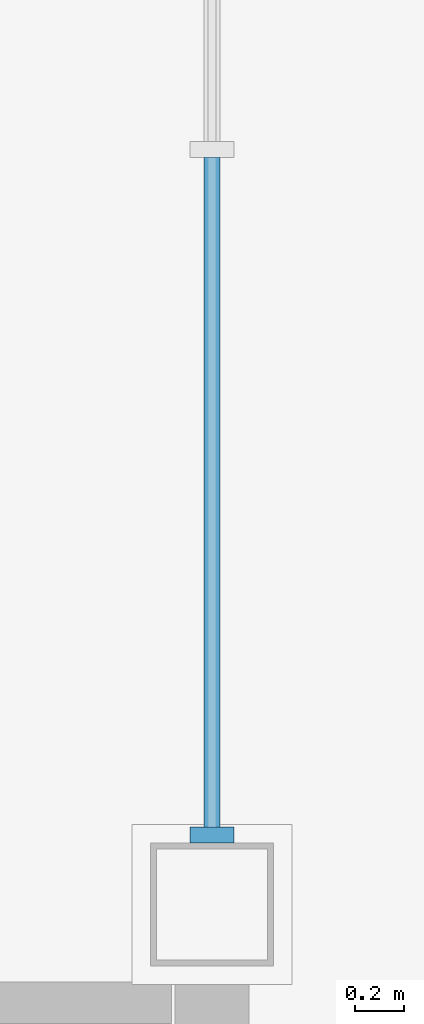
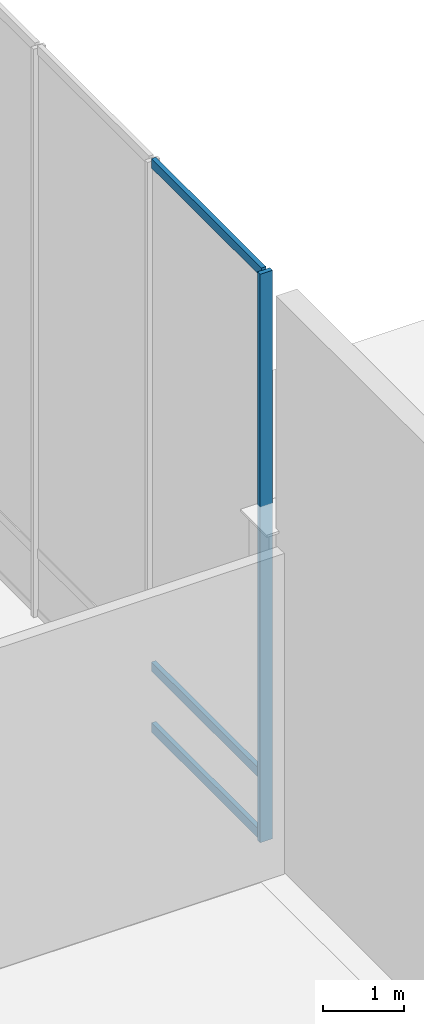
# One storey, part 37 of 123: 4 members, 1 element without a shape of its own.
"""IFC4 building model written with IfcOpenShell, lengths in metres."""

from ifc_helpers import new_model, si_unit, direction, frame, origin, origin_2d, place, context, subcontext, project, spatial, rectangle, extrude, material, material_profile, profile_set, type_object, element, aggregate, save


model = new_model("IFC4")

# Units and contexts
model_context = context("Model", 3, precision=1e-05, world=origin(), true_north=direction((0.0, 1.0)))
body_context = subcontext(model_context, "Body", "Model", "MODEL_VIEW")
ifc_project = project(units=[si_unit("LENGTHUNIT", "METRE"), si_unit("AREAUNIT", "SQUARE_METRE"), si_unit("VOLUMEUNIT", "CUBIC_METRE"), si_unit("PLANEANGLEUNIT", "RADIAN"), si_unit("MASSUNIT", "GRAM", prefix="KILO")], contexts=[model_context])

# Site, building, storey
site_placement = place(None, origin())
site = spatial("IfcSite", under=ifc_project, at=site_placement, CompositionType="ELEMENT")
building_placement = place(site_placement, origin())
building = spatial("IfcBuilding", under=site, at=building_placement, Name="Suzunagisa Mobility Hub", CompositionType="ELEMENT")
storey_placement = place(building_placement, origin())
storey = spatial("IfcBuildingStorey", under=building, at=storey_placement, Name="L00", CompositionType="ELEMENT", Elevation=0.0)

# Curtain wall, members
ifc_material_1 = material(Name="Thermally Broken Anodized Aluminum and Low-E Glazing", Category="aluminium")
curtain_wall_type = type_object("IfcCurtainWallType", Name="Unitised Curtain Wall CW-34 8500x8600", PredefinedType="USERDEFINED", material=ifc_material_1)
curtain_wall_placement = place(storey_placement, origin())
curtain_wall = element("IfcCurtainWall", 1, at=curtain_wall_placement, inside=storey, type_object=curtain_wall_type, Name="L00 Unitised Curtain Wall CW-34", ObjectType="UNITISED CURTAIN WALL", PredefinedType="USERDEFINED")
ifc_material_2 = material(Name="Anodized Aluminum 6063-T6", Category="aluminium")
ifc_material_profile_1 = material_profile(ifc_material_2, rectangle(XDim=0.06494140625, YDim=0.139892578125, at=origin_2d()), Name="TRAN-65x140")
ifc_profile_set_1 = profile_set([ifc_material_profile_1], Name="Anodized Aluminum 6063-T6")
member_type_1 = type_object("IfcMemberType", Name="Curtain Wall Framing CM-01 TRAN-65x140", PredefinedType="USERDEFINED", material=ifc_profile_set_1)
member_1_placement = place(storey_placement, frame((117.0, 62.31298828125, 0.032470703125), z_axis=(0.0, 1.0, 0.0), x_axis=(-1.0, 0.0, 0.0)))
member_1 = element("IfcMember", 2, at=member_1_placement, type_object=member_type_1, Name="Curtain Wall Transom 34-T1.1", ObjectType="TRANSOM", PredefinedType="USERDEFINED", context=body_context, shape_type="SweptSolid", body=[
    extrude(rectangle(XDim=0.06494140625, YDim=0.139892578125, at=origin_2d()), origin(), (0.0, 0.0, 1.0), 2.72314453125),
])
member_2_placement = place(storey_placement, frame((117.0, 62.31298828125, 0.949951171875), z_axis=(0.0, 1.0, 0.0), x_axis=(-1.0, 0.0, 0.0)))
member_2 = element("IfcMember", 3, at=member_2_placement, type_object=member_type_1, Name="Curtain Wall Transom 34-T1.2", ObjectType="TRANSOM", PredefinedType="USERDEFINED", context=body_context, shape_type="SweptSolid", body=[
    extrude(rectangle(XDim=0.06494140625, YDim=0.139892578125, at=origin_2d()), origin(), (0.0, 0.0, 1.0), 2.72314453125),
])
member_3_placement = place(storey_placement, frame((117.0, 62.31298828125, 8.547607421875), z_axis=(0.0, 1.0, 0.0), x_axis=(-1.0, 0.0, 0.0)))
member_3 = element("IfcMember", 4, at=member_3_placement, type_object=member_type_1, Name="Curtain Wall Transom 34-T1.3", ObjectType="TRANSOM", PredefinedType="USERDEFINED", context=body_context, shape_type="SweptSolid", body=[
    extrude(rectangle(XDim=0.06494140625, YDim=0.139892578125, at=origin_2d()), origin(), (0.0, 0.0, 1.0), 2.72314453125),
])
ifc_material_profile_2 = material_profile(ifc_material_2, rectangle(XDim=0.06494140625, YDim=0.179931640625, at=origin_2d()), Name="MULL-65x180")
ifc_profile_set_2 = profile_set([ifc_material_profile_2], Name="Anodized Aluminum 6063-T6")
member_type_2 = type_object("IfcMemberType", Name="Curtain Wall Framing CM-04 MULL-65x180", PredefinedType="MULLION", material=ifc_profile_set_2)
member_4_placement = place(storey_placement, frame((117.0, 62.282470703125, 0.0), z_axis=(0.0, 0.0, 1.0), x_axis=(0.0, 1.0, 0.0)))
member_4 = element("IfcMember", 5, at=member_4_placement, type_object=member_type_2, Name="Curtain Wall Mullion 34-M1", PredefinedType="MULLION", context=body_context, shape_type="SweptSolid", body=[
    extrude(rectangle(XDim=0.06494140625, YDim=0.179931640625, at=origin_2d()), origin(), (0.0, 0.0, 1.0), 8.580078125),
])
aggregate(curtain_wall, [member_4, member_1, member_2, member_3])

save(model, "model.ifc")
